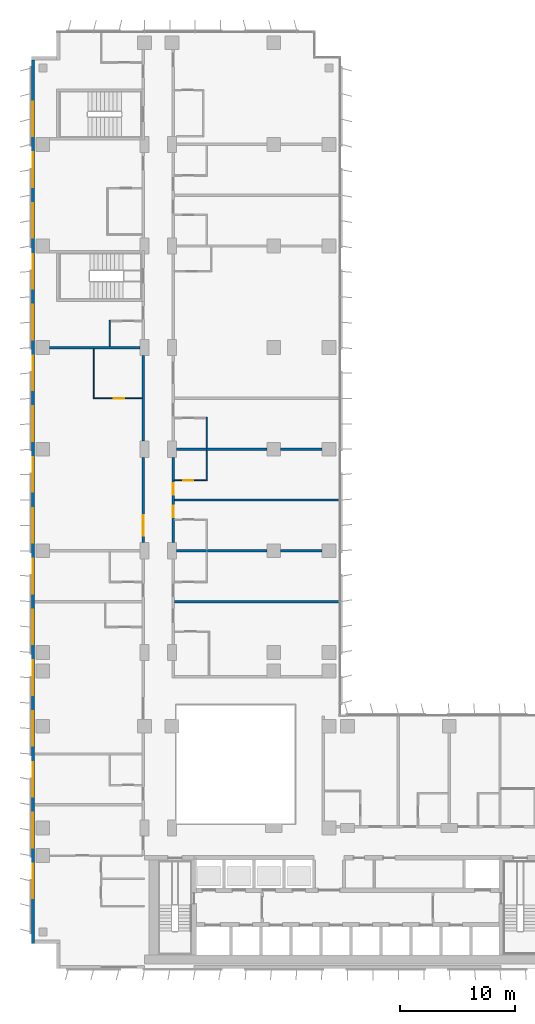
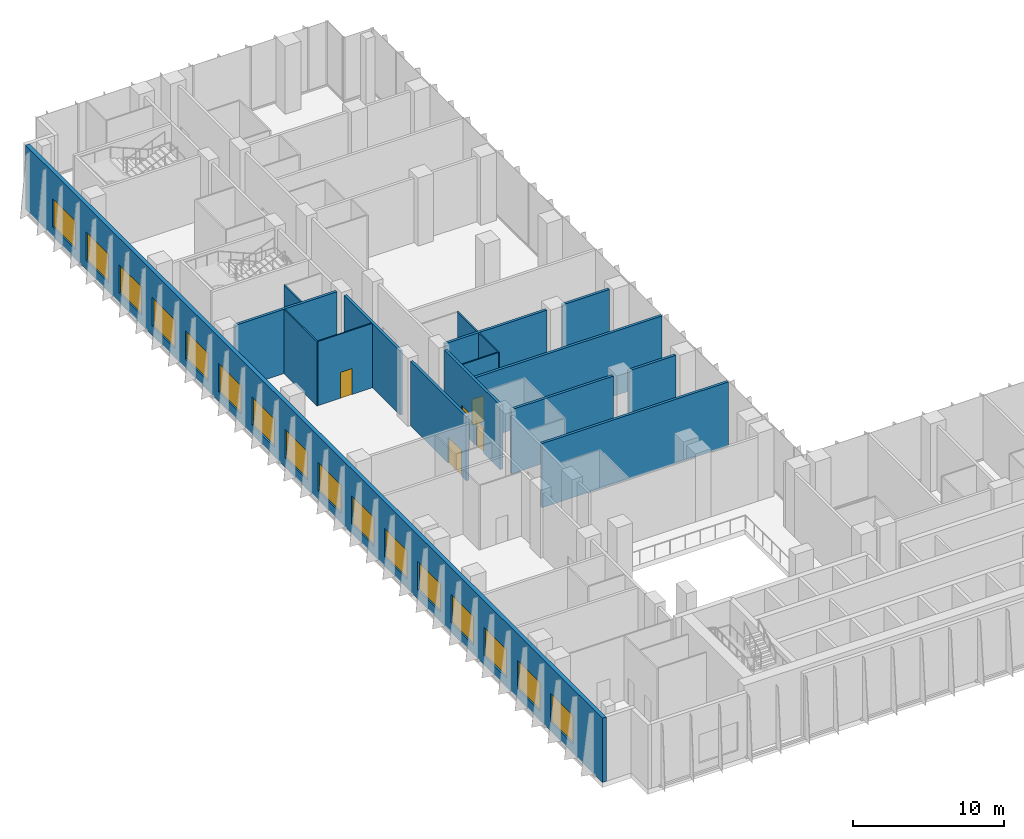
# One storey, part 16 of 26: 17 walls, 16 windows, 5 doors, 21 openings.
"""IFC4 building model written with IfcOpenShell, lengths in metres."""

from ifc_helpers import new_model, si_unit, direction, frame, frame_2d, origin, place, context, subcontext, project, spatial, rectangle, extrude, material, layer, layer_set, type_object, element, fill, save


model = new_model("IFC4")

# Units and contexts
model_context = context("Model", 3, precision=1e-05, world=origin(), true_north=direction((0.0, 1.0)))
body_context = subcontext(model_context, "Body", "Model", "MODEL_VIEW")
ifc_project = project(units=[si_unit("LENGTHUNIT", "METRE"), si_unit("AREAUNIT", "SQUARE_METRE"), si_unit("VOLUMEUNIT", "CUBIC_METRE"), si_unit("PLANEANGLEUNIT", "RADIAN"), si_unit("MASSUNIT", "GRAM", prefix="KILO")], contexts=[model_context])

# Site, building, storey
site_placement = place(None, origin())
site = spatial("IfcSite", under=ifc_project, at=site_placement, CompositionType="ELEMENT")
building_placement = place(site_placement, origin())
building = spatial("IfcBuilding", under=site, at=building_placement, Name="Kemantara Hotel Tower", CompositionType="ELEMENT")
storey_placement = place(building_placement, frame((0.0, 0.0, 101.89990234375)))
storey = spatial("IfcBuildingStorey", under=building, at=storey_placement, Name="L24", CompositionType="ELEMENT", Elevation=101.89990234375)

# Wall, openings, windows
ifc_material_1 = material(Name="Bronze anodised aluminium cladding on insulated steel stud wall", Category="steel")
ifc_layer_1 = layer(ifc_material_1, 0.300048828125)
ifc_layer_set_1 = layer_set([ifc_layer_1], Name="Bronze anodised aluminium cladding on insulated steel stud wall")
wall_type_1 = type_object("IfcWallType", Name="BRONZE METAL-CLAD EXTERNAL WALL 300", PredefinedType="STANDARD", material=ifc_layer_set_1)
wall_1_placement = place(storey_placement, frame((0.14990234375, 78.699951171875, 0.0), z_axis=(0.0, 0.0, 1.0), x_axis=(0.0, -1.0, 0.0)))
wall_1 = element("IfcWall", 1, at=wall_1_placement, inside=storey, type_object=wall_type_1, Name="EXTERNAL WALL L24 T2-R04", PredefinedType="STANDARD", context=body_context, shape_type="SweptSolid", body=[
    extrude(rectangle(XDim=76.5, YDim=0.300048828125, at=frame_2d((38.25, 0.0))), origin(), (0.0, 0.0, 1.0), 5.2001953125),
])
opening_1_placement = place(wall_1_placement, frame((3.60009765625, 0.0, 0.75)))
opening_1 = element("IfcOpeningElement", 2, at=opening_1_placement, cuts=wall_1, Name="Opening W1", PredefinedType="OPENING", context=body_context, shape_type="SweptSolid", body=[
    extrude(rectangle(XDim=3.0, YDim=2.300048828125, at=frame_2d((1.5, 1.14990234375))), frame((0.0, 0.159912109375, 0.0), z_axis=(0.0, -1.0, 0.0), x_axis=(1.0, 0.0, 0.0)), (0.0, 0.0, 1.0), 0.320068359375),
])
opening_2_placement = place(wall_1_placement, frame((8.0, 0.0, 0.75)))
opening_2 = element("IfcOpeningElement", 3, at=opening_2_placement, cuts=wall_1, Name="Opening W1", PredefinedType="OPENING", context=body_context, shape_type="SweptSolid", body=[
    extrude(rectangle(XDim=3.0, YDim=2.300048828125, at=frame_2d((1.5, 1.14990234375))), frame((0.0, 0.159912109375, 0.0), z_axis=(0.0, -1.0, 0.0), x_axis=(1.0, 0.0, 0.0)), (0.0, 0.0, 1.0), 0.320068359375),
])
opening_3_placement = place(wall_1_placement, frame((12.39990234375, 0.0, 0.75)))
opening_3 = element("IfcOpeningElement", 4, at=opening_3_placement, cuts=wall_1, Name="Opening W1", PredefinedType="OPENING", context=body_context, shape_type="SweptSolid", body=[
    extrude(rectangle(XDim=3.0, YDim=2.300048828125, at=frame_2d((1.5, 1.14990234375))), frame((0.0, 0.159912109375, 0.0), z_axis=(0.0, -1.0, 0.0), x_axis=(1.0, 0.0, 0.0)), (0.0, 0.0, 1.0), 0.320068359375),
])
opening_4_placement = place(wall_1_placement, frame((16.800048828125, 0.0, 0.75)))
opening_4 = element("IfcOpeningElement", 5, at=opening_4_placement, cuts=wall_1, Name="Opening W1", PredefinedType="OPENING", context=body_context, shape_type="SweptSolid", body=[
    extrude(rectangle(XDim=3.0, YDim=2.300048828125, at=frame_2d((1.5, 1.14990234375))), frame((0.0, 0.159912109375, 0.0), z_axis=(0.0, -1.0, 0.0), x_axis=(1.0, 0.0, 0.0)), (0.0, 0.0, 1.0), 0.320068359375),
])
opening_5_placement = place(wall_1_placement, frame((21.199951171875, 0.0, 0.75)))
opening_5 = element("IfcOpeningElement", 6, at=opening_5_placement, cuts=wall_1, Name="Opening W1", PredefinedType="OPENING", context=body_context, shape_type="SweptSolid", body=[
    extrude(rectangle(XDim=3.0, YDim=2.300048828125, at=frame_2d((1.5, 1.14990234375))), frame((0.0, 0.159912109375, 0.0), z_axis=(0.0, -1.0, 0.0), x_axis=(1.0, 0.0, 0.0)), (0.0, 0.0, 1.0), 0.320068359375),
])
opening_6_placement = place(wall_1_placement, frame((25.60009765625, 0.0, 0.75)))
opening_6 = element("IfcOpeningElement", 7, at=opening_6_placement, cuts=wall_1, Name="Opening W1", PredefinedType="OPENING", context=body_context, shape_type="SweptSolid", body=[
    extrude(rectangle(XDim=3.0, YDim=2.300048828125, at=frame_2d((1.5, 1.14990234375))), frame((0.0, 0.159912109375, 0.0), z_axis=(0.0, -1.0, 0.0), x_axis=(1.0, 0.0, 0.0)), (0.0, 0.0, 1.0), 0.320068359375),
])
opening_7_placement = place(wall_1_placement, frame((30.0, 0.0, 0.75)))
opening_7 = element("IfcOpeningElement", 8, at=opening_7_placement, cuts=wall_1, Name="Opening W1", PredefinedType="OPENING", context=body_context, shape_type="SweptSolid", body=[
    extrude(rectangle(XDim=3.0, YDim=2.300048828125, at=frame_2d((1.5, 1.14990234375))), frame((0.0, 0.159912109375, 0.0), z_axis=(0.0, -1.0, 0.0), x_axis=(1.0, 0.0, 0.0)), (0.0, 0.0, 1.0), 0.320068359375),
])
opening_8_placement = place(wall_1_placement, frame((34.39990234375, 0.0, 0.75)))
opening_8 = element("IfcOpeningElement", 9, at=opening_8_placement, cuts=wall_1, Name="Opening W1", PredefinedType="OPENING", context=body_context, shape_type="SweptSolid", body=[
    extrude(rectangle(XDim=3.0, YDim=2.300048828125, at=frame_2d((1.5, 1.14990234375))), frame((0.0, 0.159912109375, 0.0), z_axis=(0.0, -1.0, 0.0), x_axis=(1.0, 0.0, 0.0)), (0.0, 0.0, 1.0), 0.320068359375),
])
opening_9_placement = place(wall_1_placement, frame((38.800048828125, 0.0, 0.75)))
opening_9 = element("IfcOpeningElement", 10, at=opening_9_placement, cuts=wall_1, Name="Opening W1", PredefinedType="OPENING", context=body_context, shape_type="SweptSolid", body=[
    extrude(rectangle(XDim=3.0, YDim=2.300048828125, at=frame_2d((1.5, 1.14990234375))), frame((0.0, 0.159912109375, 0.0), z_axis=(0.0, -1.0, 0.0), x_axis=(1.0, 0.0, 0.0)), (0.0, 0.0, 1.0), 0.320068359375),
])
opening_10_placement = place(wall_1_placement, frame((43.199951171875, 0.0, 0.75)))
opening_10 = element("IfcOpeningElement", 11, at=opening_10_placement, cuts=wall_1, Name="Opening W1", PredefinedType="OPENING", context=body_context, shape_type="SweptSolid", body=[
    extrude(rectangle(XDim=3.0, YDim=2.300048828125, at=frame_2d((1.5, 1.14990234375))), frame((0.0, 0.159912109375, 0.0), z_axis=(0.0, -1.0, 0.0), x_axis=(1.0, 0.0, 0.0)), (0.0, 0.0, 1.0), 0.320068359375),
])
opening_11_placement = place(wall_1_placement, frame((47.60009765625, 0.0, 0.75)))
opening_11 = element("IfcOpeningElement", 12, at=opening_11_placement, cuts=wall_1, Name="Opening W1", PredefinedType="OPENING", context=body_context, shape_type="SweptSolid", body=[
    extrude(rectangle(XDim=3.0, YDim=2.300048828125, at=frame_2d((1.5, 1.14990234375))), frame((0.0, 0.159912109375, 0.0), z_axis=(0.0, -1.0, 0.0), x_axis=(1.0, 0.0, 0.0)), (0.0, 0.0, 1.0), 0.320068359375),
])
opening_12_placement = place(wall_1_placement, frame((52.0, 0.0, 0.75)))
opening_12 = element("IfcOpeningElement", 13, at=opening_12_placement, cuts=wall_1, Name="Opening W1", PredefinedType="OPENING", context=body_context, shape_type="SweptSolid", body=[
    extrude(rectangle(XDim=3.0, YDim=2.300048828125, at=frame_2d((1.5, 1.14990234375))), frame((0.0, 0.159912109375, 0.0), z_axis=(0.0, -1.0, 0.0), x_axis=(1.0, 0.0, 0.0)), (0.0, 0.0, 1.0), 0.320068359375),
])
opening_13_placement = place(wall_1_placement, frame((56.39990234375, 0.0, 0.75)))
opening_13 = element("IfcOpeningElement", 14, at=opening_13_placement, cuts=wall_1, Name="Opening W1", PredefinedType="OPENING", context=body_context, shape_type="SweptSolid", body=[
    extrude(rectangle(XDim=3.0, YDim=2.300048828125, at=frame_2d((1.5, 1.14990234375))), frame((0.0, 0.159912109375, 0.0), z_axis=(0.0, -1.0, 0.0), x_axis=(1.0, 0.0, 0.0)), (0.0, 0.0, 1.0), 0.320068359375),
])
opening_14_placement = place(wall_1_placement, frame((60.800048828125, 0.0, 0.75)))
opening_14 = element("IfcOpeningElement", 15, at=opening_14_placement, cuts=wall_1, Name="Opening W1", PredefinedType="OPENING", context=body_context, shape_type="SweptSolid", body=[
    extrude(rectangle(XDim=3.0, YDim=2.300048828125, at=frame_2d((1.5, 1.14990234375))), frame((0.0, 0.159912109375, 0.0), z_axis=(0.0, -1.0, 0.0), x_axis=(1.0, 0.0, 0.0)), (0.0, 0.0, 1.0), 0.320068359375),
])
opening_15_placement = place(wall_1_placement, frame((65.199951171875, 0.0, 0.75)))
opening_15 = element("IfcOpeningElement", 16, at=opening_15_placement, cuts=wall_1, Name="Opening W1", PredefinedType="OPENING", context=body_context, shape_type="SweptSolid", body=[
    extrude(rectangle(XDim=3.0, YDim=2.300048828125, at=frame_2d((1.5, 1.14990234375))), frame((0.0, 0.159912109375, 0.0), z_axis=(0.0, -1.0, 0.0), x_axis=(1.0, 0.0, 0.0)), (0.0, 0.0, 1.0), 0.320068359375),
])
opening_16_placement = place(wall_1_placement, frame((69.60009765625, 0.0, 0.75)))
opening_16 = element("IfcOpeningElement", 17, at=opening_16_placement, cuts=wall_1, Name="Opening W1", PredefinedType="OPENING", context=body_context, shape_type="SweptSolid", body=[
    extrude(rectangle(XDim=3.0, YDim=2.300048828125, at=frame_2d((1.5, 1.14990234375))), frame((0.0, 0.159912109375, 0.0), z_axis=(0.0, -1.0, 0.0), x_axis=(1.0, 0.0, 0.0)), (0.0, 0.0, 1.0), 0.320068359375),
])
ifc_material_2 = material(Name="Low-E tinted double insulated glass in bronze anodised aluminium frame", Category="aluminium")
window_type = type_object("IfcWindowType", Name="CHICAGO WINDOW, TRIPLE PANEL 3000x2300", PartitioningType="TRIPLE_PANEL_VERTICAL", PredefinedType="WINDOW", material=ifc_material_2)
window_1_placement = place(opening_1_placement, origin())
window_1 = element("IfcWindow", 18, at=window_1_placement, inside=storey, type_object=window_type, Name="CHICAGO WINDOW L24 T2-R04-54", OverallHeight=2.300048828125, OverallWidth=3.0, PartitioningType="SINGLE_PANEL", PredefinedType="WINDOW", context=body_context, shape_type="SweptSolid", body=[
    extrude(rectangle(XDim=3.0, YDim=2.300048828125, at=frame_2d((1.5, 1.14990234375))), frame((0.0, 0.030029296875, 0.0), z_axis=(0.0, -1.0, 0.0), x_axis=(1.0, 0.0, 0.0)), (0.0, 0.0, 1.0), 0.06005859375),
])
fill(opening_1, window_1)
window_2_placement = place(opening_2_placement, origin())
window_2 = element("IfcWindow", 19, at=window_2_placement, inside=storey, type_object=window_type, Name="CHICAGO WINDOW L24 T2-R04-98", OverallHeight=2.300048828125, OverallWidth=3.0, PartitioningType="SINGLE_PANEL", PredefinedType="WINDOW", context=body_context, shape_type="SweptSolid", body=[
    extrude(rectangle(XDim=3.0, YDim=2.300048828125, at=frame_2d((1.5, 1.14990234375))), frame((0.0, 0.030029296875, 0.0), z_axis=(0.0, -1.0, 0.0), x_axis=(1.0, 0.0, 0.0)), (0.0, 0.0, 1.0), 0.06005859375),
])
fill(opening_2, window_2)
window_3_placement = place(opening_3_placement, origin())
window_3 = element("IfcWindow", 20, at=window_3_placement, inside=storey, type_object=window_type, Name="CHICAGO WINDOW L24 T2-R04-142", OverallHeight=2.300048828125, OverallWidth=3.0, PartitioningType="SINGLE_PANEL", PredefinedType="WINDOW", context=body_context, shape_type="SweptSolid", body=[
    extrude(rectangle(XDim=3.0, YDim=2.300048828125, at=frame_2d((1.5, 1.14990234375))), frame((0.0, 0.030029296875, 0.0), z_axis=(0.0, -1.0, 0.0), x_axis=(1.0, 0.0, 0.0)), (0.0, 0.0, 1.0), 0.06005859375),
])
fill(opening_3, window_3)
window_4_placement = place(opening_4_placement, origin())
window_4 = element("IfcWindow", 21, at=window_4_placement, inside=storey, type_object=window_type, Name="CHICAGO WINDOW L24 T2-R04-186", OverallHeight=2.300048828125, OverallWidth=3.0, PartitioningType="SINGLE_PANEL", PredefinedType="WINDOW", context=body_context, shape_type="SweptSolid", body=[
    extrude(rectangle(XDim=3.0, YDim=2.300048828125, at=frame_2d((1.5, 1.14990234375))), frame((0.0, 0.030029296875, 0.0), z_axis=(0.0, -1.0, 0.0), x_axis=(1.0, 0.0, 0.0)), (0.0, 0.0, 1.0), 0.06005859375),
])
fill(opening_4, window_4)
window_5_placement = place(opening_5_placement, origin())
window_5 = element("IfcWindow", 22, at=window_5_placement, inside=storey, type_object=window_type, Name="CHICAGO WINDOW L24 T2-R04-230", OverallHeight=2.300048828125, OverallWidth=3.0, PartitioningType="SINGLE_PANEL", PredefinedType="WINDOW", context=body_context, shape_type="SweptSolid", body=[
    extrude(rectangle(XDim=3.0, YDim=2.300048828125, at=frame_2d((1.5, 1.14990234375))), frame((0.0, 0.030029296875, 0.0), z_axis=(0.0, -1.0, 0.0), x_axis=(1.0, 0.0, 0.0)), (0.0, 0.0, 1.0), 0.06005859375),
])
fill(opening_5, window_5)
window_6_placement = place(opening_6_placement, origin())
window_6 = element("IfcWindow", 23, at=window_6_placement, inside=storey, type_object=window_type, Name="CHICAGO WINDOW L24 T2-R04-274", OverallHeight=2.300048828125, OverallWidth=3.0, PartitioningType="SINGLE_PANEL", PredefinedType="WINDOW", context=body_context, shape_type="SweptSolid", body=[
    extrude(rectangle(XDim=3.0, YDim=2.300048828125, at=frame_2d((1.5, 1.14990234375))), frame((0.0, 0.030029296875, 0.0), z_axis=(0.0, -1.0, 0.0), x_axis=(1.0, 0.0, 0.0)), (0.0, 0.0, 1.0), 0.06005859375),
])
fill(opening_6, window_6)
window_7_placement = place(opening_7_placement, origin())
window_7 = element("IfcWindow", 24, at=window_7_placement, inside=storey, type_object=window_type, Name="CHICAGO WINDOW L24 T2-R04-318", OverallHeight=2.300048828125, OverallWidth=3.0, PartitioningType="SINGLE_PANEL", PredefinedType="WINDOW", context=body_context, shape_type="SweptSolid", body=[
    extrude(rectangle(XDim=3.0, YDim=2.300048828125, at=frame_2d((1.5, 1.14990234375))), frame((0.0, 0.030029296875, 0.0), z_axis=(0.0, -1.0, 0.0), x_axis=(1.0, 0.0, 0.0)), (0.0, 0.0, 1.0), 0.06005859375),
])
fill(opening_7, window_7)
window_8_placement = place(opening_8_placement, origin())
window_8 = element("IfcWindow", 25, at=window_8_placement, inside=storey, type_object=window_type, Name="CHICAGO WINDOW L24 T2-R04-362", OverallHeight=2.300048828125, OverallWidth=3.0, PartitioningType="SINGLE_PANEL", PredefinedType="WINDOW", context=body_context, shape_type="SweptSolid", body=[
    extrude(rectangle(XDim=3.0, YDim=2.300048828125, at=frame_2d((1.5, 1.14990234375))), frame((0.0, 0.030029296875, 0.0), z_axis=(0.0, -1.0, 0.0), x_axis=(1.0, 0.0, 0.0)), (0.0, 0.0, 1.0), 0.06005859375),
])
fill(opening_8, window_8)
window_9_placement = place(opening_9_placement, origin())
window_9 = element("IfcWindow", 26, at=window_9_placement, inside=storey, type_object=window_type, Name="CHICAGO WINDOW L24 T2-R04-406", OverallHeight=2.300048828125, OverallWidth=3.0, PartitioningType="SINGLE_PANEL", PredefinedType="WINDOW", context=body_context, shape_type="SweptSolid", body=[
    extrude(rectangle(XDim=3.0, YDim=2.300048828125, at=frame_2d((1.5, 1.14990234375))), frame((0.0, 0.030029296875, 0.0), z_axis=(0.0, -1.0, 0.0), x_axis=(1.0, 0.0, 0.0)), (0.0, 0.0, 1.0), 0.06005859375),
])
fill(opening_9, window_9)
window_10_placement = place(opening_10_placement, origin())
window_10 = element("IfcWindow", 27, at=window_10_placement, inside=storey, type_object=window_type, Name="CHICAGO WINDOW L24 T2-R04-450", OverallHeight=2.300048828125, OverallWidth=3.0, PartitioningType="SINGLE_PANEL", PredefinedType="WINDOW", context=body_context, shape_type="SweptSolid", body=[
    extrude(rectangle(XDim=3.0, YDim=2.300048828125, at=frame_2d((1.5, 1.14990234375))), frame((0.0, 0.030029296875, 0.0), z_axis=(0.0, -1.0, 0.0), x_axis=(1.0, 0.0, 0.0)), (0.0, 0.0, 1.0), 0.06005859375),
])
fill(opening_10, window_10)
window_11_placement = place(opening_11_placement, origin())
window_11 = element("IfcWindow", 28, at=window_11_placement, inside=storey, type_object=window_type, Name="CHICAGO WINDOW L24 T2-R04-494", OverallHeight=2.300048828125, OverallWidth=3.0, PartitioningType="SINGLE_PANEL", PredefinedType="WINDOW", context=body_context, shape_type="SweptSolid", body=[
    extrude(rectangle(XDim=3.0, YDim=2.300048828125, at=frame_2d((1.5, 1.14990234375))), frame((0.0, 0.030029296875, 0.0), z_axis=(0.0, -1.0, 0.0), x_axis=(1.0, 0.0, 0.0)), (0.0, 0.0, 1.0), 0.06005859375),
])
fill(opening_11, window_11)
window_12_placement = place(opening_12_placement, origin())
window_12 = element("IfcWindow", 29, at=window_12_placement, inside=storey, type_object=window_type, Name="CHICAGO WINDOW L24 T2-R04-538", OverallHeight=2.300048828125, OverallWidth=3.0, PartitioningType="SINGLE_PANEL", PredefinedType="WINDOW", context=body_context, shape_type="SweptSolid", body=[
    extrude(rectangle(XDim=3.0, YDim=2.300048828125, at=frame_2d((1.5, 1.14990234375))), frame((0.0, 0.030029296875, 0.0), z_axis=(0.0, -1.0, 0.0), x_axis=(1.0, 0.0, 0.0)), (0.0, 0.0, 1.0), 0.06005859375),
])
fill(opening_12, window_12)
window_13_placement = place(opening_13_placement, origin())
window_13 = element("IfcWindow", 30, at=window_13_placement, inside=storey, type_object=window_type, Name="CHICAGO WINDOW L24 T2-R04-582", OverallHeight=2.300048828125, OverallWidth=3.0, PartitioningType="SINGLE_PANEL", PredefinedType="WINDOW", context=body_context, shape_type="SweptSolid", body=[
    extrude(rectangle(XDim=3.0, YDim=2.300048828125, at=frame_2d((1.5, 1.14990234375))), frame((0.0, 0.030029296875, 0.0), z_axis=(0.0, -1.0, 0.0), x_axis=(1.0, 0.0, 0.0)), (0.0, 0.0, 1.0), 0.06005859375),
])
fill(opening_13, window_13)
window_14_placement = place(opening_14_placement, origin())
window_14 = element("IfcWindow", 31, at=window_14_placement, inside=storey, type_object=window_type, Name="CHICAGO WINDOW L24 T2-R04-626", OverallHeight=2.300048828125, OverallWidth=3.0, PartitioningType="SINGLE_PANEL", PredefinedType="WINDOW", context=body_context, shape_type="SweptSolid", body=[
    extrude(rectangle(XDim=3.0, YDim=2.300048828125, at=frame_2d((1.5, 1.14990234375))), frame((0.0, 0.030029296875, 0.0), z_axis=(0.0, -1.0, 0.0), x_axis=(1.0, 0.0, 0.0)), (0.0, 0.0, 1.0), 0.06005859375),
])
fill(opening_14, window_14)
window_15_placement = place(opening_15_placement, origin())
window_15 = element("IfcWindow", 32, at=window_15_placement, inside=storey, type_object=window_type, Name="CHICAGO WINDOW L24 T2-R04-670", OverallHeight=2.300048828125, OverallWidth=3.0, PartitioningType="SINGLE_PANEL", PredefinedType="WINDOW", context=body_context, shape_type="SweptSolid", body=[
    extrude(rectangle(XDim=3.0, YDim=2.300048828125, at=frame_2d((1.5, 1.14990234375))), frame((0.0, 0.030029296875, 0.0), z_axis=(0.0, -1.0, 0.0), x_axis=(1.0, 0.0, 0.0)), (0.0, 0.0, 1.0), 0.06005859375),
])
fill(opening_15, window_15)
window_16_placement = place(opening_16_placement, origin())
window_16 = element("IfcWindow", 33, at=window_16_placement, inside=storey, type_object=window_type, Name="CHICAGO WINDOW L24 T2-R04-714", OverallHeight=2.300048828125, OverallWidth=3.0, PartitioningType="SINGLE_PANEL", PredefinedType="WINDOW", context=body_context, shape_type="SweptSolid", body=[
    extrude(rectangle(XDim=3.0, YDim=2.300048828125, at=frame_2d((1.5, 1.14990234375))), frame((0.0, 0.030029296875, 0.0), z_axis=(0.0, -1.0, 0.0), x_axis=(1.0, 0.0, 0.0)), (0.0, 0.0, 1.0), 0.06005859375),
])
fill(opening_16, window_16)

# Wall, opening, door
ifc_material_3 = material(Name="Gypsum board partition, steel studs and mineral wool, 200 mm", Category="steel")
ifc_layer_2 = layer(ifc_material_3, 0.199951171875)
ifc_layer_set_2 = layer_set([ifc_layer_2], Name="Gypsum board partition, steel studs and mineral wool, 200 mm")
wall_type_2 = type_object("IfcWallType", Name="CORRIDOR WALL 200", PredefinedType="PARTITIONING", material=ifc_layer_set_2)
wall_2_placement = place(storey_placement, frame((9.699951171875, 36.900146484375, 0.0), z_axis=(0.0, 0.0, 1.0), x_axis=(0.0, 1.0, 0.0)))
wall_2 = element("IfcWall", 34, at=wall_2_placement, inside=storey, type_object=wall_type_2, Name="CORRIDOR WALL 200 018", PredefinedType="PARTITIONING", context=body_context, shape_type="SweptSolid", body=[
    extrude(rectangle(XDim=7.399658203125, YDim=0.199951171875, at=frame_2d((3.69970703125, 0.0))), origin(), (0.0, 0.0, 1.0), 5.2001953125),
])
opening_17_placement = place(wall_2_placement, frame((0.599853515625, 0.0, 0.0)))
opening_17 = element("IfcOpeningElement", 35, at=opening_17_placement, cuts=wall_2, Name="Opening F10-025", PredefinedType="OPENING", context=body_context, shape_type="SweptSolid", body=[
    extrude(rectangle(XDim=1.800048828125, YDim=2.10009765625, at=frame_2d((0.89990234375, 1.050048828125))), frame((0.0, 0.10986328125, 0.0), z_axis=(0.0, -1.0, 0.0), x_axis=(1.0, 0.0, 0.0)), (0.0, 0.0, 1.0), 0.219970703125),
])
ifc_material_4 = material(Name="Hardwood veneer door leaf with steel frame", Category="steel")
door_type_1 = type_object("IfcDoorType", Name="AMENITY ROOM DOOR 1800 X 2100 FD30S", OperationType="NOTDEFINED", PredefinedType="DOOR", material=ifc_material_4)
door_1_placement = place(opening_17_placement, origin())
door_1 = element("IfcDoor", 36, at=door_1_placement, inside=storey, type_object=door_type_1, Name="AMENITY ROOM DOOR F10-025", OperationType="DOUBLE_DOOR_SINGLE_SWING", OverallHeight=2.10009765625, OverallWidth=1.800048828125, PredefinedType="DOOR", context=body_context, shape_type="SweptSolid", body=[
    extrude(rectangle(XDim=1.800048828125, YDim=2.10009765625, at=frame_2d((0.89990234375, 1.050048828125))), frame((0.0, 0.02490234375, 0.0), z_axis=(0.0, -1.0, 0.0), x_axis=(1.0, 0.0, 0.0)), (0.0, 0.0, 1.0), 0.050048828125),
])
fill(opening_17, door_1)

# Wall
wall_3_placement = place(storey_placement, frame((9.699951171875, 45.7001953125, 0.0), z_axis=(0.0, 0.0, 1.0), x_axis=(0.0, 1.0, 0.0)))
element("IfcWall", 37, at=wall_3_placement, inside=storey, type_object=wall_type_2, Name="CORRIDOR WALL 200 019", PredefinedType="PARTITIONING", context=body_context, shape_type="SweptSolid", body=[
    extrude(rectangle(XDim=7.399658203125, YDim=0.199951171875, at=frame_2d((3.69970703125, 0.0))), origin(), (0.0, 0.0, 1.0), 5.2001953125),
])

# Wall, openings, doors
wall_4_placement = place(storey_placement, frame((12.300048828125, 44.2998046875, 0.0), z_axis=(0.0, 0.0, 1.0), x_axis=(0.0, -1.0, 0.0)))
wall_4 = element("IfcWall", 38, at=wall_4_placement, inside=storey, type_object=wall_type_2, Name="CORRIDOR WALL 200 033", PredefinedType="PARTITIONING", context=body_context, shape_type="SweptSolid", body=[
    extrude(rectangle(XDim=7.399658203125, YDim=0.199951171875, at=frame_2d((3.69970703125, 0.0))), origin(), (0.0, 0.0, 1.0), 5.2001953125),
])
opening_18_placement = place(wall_4_placement, frame((4.199951171875, 0.0, 0.0)))
opening_18 = element("IfcOpeningElement", 39, at=opening_18_placement, cuts=wall_4, Name="Opening F10-037", PredefinedType="OPENING", context=body_context, shape_type="SweptSolid", body=[
    extrude(rectangle(XDim=1.0, YDim=2.10009765625, at=frame_2d((0.5, 1.050048828125))), frame((0.0, 0.10986328125, 0.0), z_axis=(0.0, -1.0, 0.0), x_axis=(1.0, 0.0, 0.0)), (0.0, 0.0, 1.0), 0.219970703125),
])
opening_19_placement = place(wall_4_placement, frame((2.25, 0.0, 0.0)))
opening_19 = element("IfcOpeningElement", 40, at=opening_19_placement, cuts=wall_4, Name="Opening F10-039", PredefinedType="OPENING", context=body_context, shape_type="SweptSolid", body=[
    extrude(rectangle(XDim=1.0, YDim=2.10009765625, at=frame_2d((0.5, 1.050048828125))), frame((0.0, 0.10986328125, 0.0), z_axis=(0.0, -1.0, 0.0), x_axis=(1.0, 0.0, 0.0)), (0.0, 0.0, 1.0), 0.219970703125),
])
door_type_2 = type_object("IfcDoorType", Name="GUEST ROOM DOOR 1000 X 2100 FD30S", OperationType="NOTDEFINED", PredefinedType="DOOR", material=ifc_material_4)
door_2_placement = place(opening_18_placement, origin())
door_2 = element("IfcDoor", 41, at=door_2_placement, inside=storey, type_object=door_type_2, Name="GUEST ROOM DOOR F10-037", OperationType="SINGLE_SWING_LEFT", OverallHeight=2.10009765625, OverallWidth=1.0, PredefinedType="DOOR", context=body_context, shape_type="SweptSolid", body=[
    extrude(rectangle(XDim=1.0, YDim=2.10009765625, at=frame_2d((0.5, 1.050048828125))), frame((0.0, 0.02490234375, 0.0), z_axis=(0.0, -1.0, 0.0), x_axis=(1.0, 0.0, 0.0)), (0.0, 0.0, 1.0), 0.050048828125),
])
fill(opening_18, door_2)
door_3_placement = place(opening_19_placement, origin())
door_3 = element("IfcDoor", 42, at=door_3_placement, inside=storey, type_object=door_type_2, Name="GUEST ROOM DOOR F10-039", OperationType="SINGLE_SWING_RIGHT", OverallHeight=2.10009765625, OverallWidth=1.0, PredefinedType="DOOR", context=body_context, shape_type="SweptSolid", body=[
    extrude(rectangle(XDim=1.0, YDim=2.10009765625, at=frame_2d((0.5, 1.050048828125))), frame((0.0, 0.02490234375, 0.0), z_axis=(0.0, -1.0, 0.0), x_axis=(1.0, 0.0, 0.0)), (0.0, 0.0, 1.0), 0.050048828125),
])
fill(opening_19, door_3)

# Walls
ifc_layer_3 = layer(ifc_material_3, 0.199951171875)
ifc_layer_set_3 = layer_set([ifc_layer_3], Name="Gypsum board partition, steel studs and mineral wool, 200 mm")
wall_type_3 = type_object("IfcWallType", Name="GUEST ROOM PARTY WALL 200", PredefinedType="PARTITIONING", material=ifc_layer_set_3)
wall_5_placement = place(storey_placement, frame((12.39990234375, 31.800048828125, 0.0), z_axis=(0.0, 0.0, 1.0), x_axis=(1.0, 0.0, 0.0)))
element("IfcWall", 43, at=wall_5_placement, inside=storey, type_object=wall_type_3, Name="GUEST ROOM PARTY WALL 200 026", PredefinedType="PARTITIONING", context=body_context, shape_type="SweptSolid", body=[
    extrude(rectangle(XDim=14.27001953125, YDim=0.199951171875, at=frame_2d((7.135009765625, 0.0))), origin(), (0.0, 0.0, 1.0), 5.2001953125),
])
wall_6_placement = place(storey_placement, frame((12.60009765625, 36.199951171875, 0.0), z_axis=(0.0, 0.0, 1.0), x_axis=(1.0, 0.0, 0.0)))
element("IfcWall", 44, at=wall_6_placement, inside=storey, type_object=wall_type_3, Name="GUEST ROOM PARTY WALL 200 028", PredefinedType="PARTITIONING", context=body_context, shape_type="SweptSolid", body=[
    extrude(rectangle(XDim=7.7998046875, YDim=0.199951171875, at=frame_2d((3.89990234375, 0.0))), origin(), (0.0, 0.0, 1.0), 5.2001953125),
])
wall_7_placement = place(storey_placement, frame((21.60009765625, 36.199951171875, 0.0), z_axis=(0.0, 0.0, 1.0), x_axis=(1.0, 0.0, 0.0)))
element("IfcWall", 45, at=wall_7_placement, inside=storey, type_object=wall_type_3, Name="GUEST ROOM PARTY WALL 200 029", PredefinedType="PARTITIONING", context=body_context, shape_type="SweptSolid", body=[
    extrude(rectangle(XDim=3.599853515625, YDim=0.199951171875, at=frame_2d((1.7998046875, 0.0))), origin(), (0.0, 0.0, 1.0), 5.2001953125),
])
wall_8_placement = place(storey_placement, frame((1.60009765625, 53.800048828125, 0.0), z_axis=(0.0, 0.0, 1.0), x_axis=(1.0, 0.0, 0.0)))
element("IfcWall", 46, at=wall_8_placement, inside=storey, type_object=wall_type_3, Name="GUEST ROOM PARTY WALL 200 030", PredefinedType="PARTITIONING", context=body_context, shape_type="SweptSolid", body=[
    extrude(rectangle(XDim=7.7998046875, YDim=0.199951171875, at=frame_2d((3.89990234375, 0.0))), origin(), (0.0, 0.0, 1.0), 5.2001953125),
])
wall_9_placement = place(storey_placement, frame((12.39990234375, 40.60009765625, 0.0), z_axis=(0.0, 0.0, 1.0), x_axis=(1.0, 0.0, 0.0)))
element("IfcWall", 47, at=wall_9_placement, inside=storey, type_object=wall_type_3, Name="GUEST ROOM PARTY WALL 200 040", PredefinedType="PARTITIONING", context=body_context, shape_type="SweptSolid", body=[
    extrude(rectangle(XDim=14.27001953125, YDim=0.199951171875, at=frame_2d((7.135009765625, 0.0))), origin(), (0.0, 0.0, 1.0), 5.2001953125),
])
wall_10_placement = place(storey_placement, frame((12.60009765625, 45.0, 0.0), z_axis=(0.0, 0.0, 1.0), x_axis=(1.0, 0.0, 0.0)))
element("IfcWall", 48, at=wall_10_placement, inside=storey, type_object=wall_type_3, Name="GUEST ROOM PARTY WALL 200 041", PredefinedType="PARTITIONING", context=body_context, shape_type="SweptSolid", body=[
    extrude(rectangle(XDim=7.7998046875, YDim=0.199951171875, at=frame_2d((3.89990234375, 0.0))), origin(), (0.0, 0.0, 1.0), 5.2001953125),
])
wall_11_placement = place(storey_placement, frame((21.60009765625, 45.0, 0.0), z_axis=(0.0, 0.0, 1.0), x_axis=(1.0, 0.0, 0.0)))
element("IfcWall", 49, at=wall_11_placement, inside=storey, type_object=wall_type_3, Name="GUEST ROOM PARTY WALL 200 042", PredefinedType="PARTITIONING", context=body_context, shape_type="SweptSolid", body=[
    extrude(rectangle(XDim=3.599853515625, YDim=0.199951171875, at=frame_2d((1.7998046875, 0.0))), origin(), (0.0, 0.0, 1.0), 5.2001953125),
])
ifc_material_5 = material(Name="Gypsum board partition on steel studs, 100 mm", Category="steel")
ifc_layer_4 = layer(ifc_material_5, 0.10009765625)
ifc_layer_set_4 = layer_set([ifc_layer_4], Name="Gypsum board partition on steel studs, 100 mm")
wall_type_4 = type_object("IfcWallType", Name="ROOM PARTITION 100", PredefinedType="PARTITIONING", material=ifc_layer_set_4)
wall_12_placement = place(storey_placement, frame((6.800048828125, 53.89990234375, 0.0), z_axis=(0.0, 0.0, 1.0), x_axis=(0.0, 1.0, 0.0)))
element("IfcWall", 50, at=wall_12_placement, inside=storey, type_object=wall_type_4, Name="ROOM PARTITION 100 069", PredefinedType="PARTITIONING", context=body_context, shape_type="SweptSolid", body=[
    extrude(rectangle(XDim=2.25, YDim=0.10009765625, at=frame_2d((1.125, 0.0))), origin(), (0.0, 0.0, 1.0), 5.2001953125),
])
wall_13_placement = place(storey_placement, frame((5.39990234375, 49.35009765625, 0.0), z_axis=(0.0, 0.0, 1.0), x_axis=(0.0, 1.0, 0.0)))
element("IfcWall", 51, at=wall_13_placement, inside=storey, type_object=wall_type_4, Name="ROOM PARTITION 100 075", PredefinedType="PARTITIONING", context=body_context, shape_type="SweptSolid", body=[
    extrude(rectangle(XDim=4.349853515625, YDim=0.10009765625, at=frame_2d((2.1748046875, 0.0))), origin(), (0.0, 0.0, 1.0), 5.2001953125),
])

# Wall, opening, door
wall_14_placement = place(storey_placement, frame((5.449951171875, 49.39990234375, 0.0), z_axis=(0.0, 0.0, 1.0), x_axis=(1.0, 0.0, 0.0)))
wall_14 = element("IfcWall", 52, at=wall_14_placement, inside=storey, type_object=wall_type_4, Name="ROOM PARTITION 100 076", PredefinedType="PARTITIONING", context=body_context, shape_type="SweptSolid", body=[
    extrude(rectangle(XDim=4.150146484375, YDim=0.10009765625, at=frame_2d((2.0751953125, 0.0))), origin(), (0.0, 0.0, 1.0), 5.2001953125),
])
opening_20_placement = place(wall_14_placement, frame((1.699951171875, 0.0, 0.0)))
opening_20 = element("IfcOpeningElement", 53, at=opening_20_placement, cuts=wall_14, Name="Opening F10-026", PredefinedType="OPENING", context=body_context, shape_type="SweptSolid", body=[
    extrude(rectangle(XDim=0.89990234375, YDim=2.10009765625, at=frame_2d((0.449951171875, 1.050048828125))), frame((0.0, 0.06005859375, 0.0), z_axis=(0.0, -1.0, 0.0), x_axis=(1.0, 0.0, 0.0)), (0.0, 0.0, 1.0), 0.1201171875),
])
door_type_3 = type_object("IfcDoorType", Name="PANTRY DOOR 900 X 2100", OperationType="NOTDEFINED", PredefinedType="DOOR", material=ifc_material_4)
door_4_placement = place(opening_20_placement, origin())
door_4 = element("IfcDoor", 54, at=door_4_placement, inside=storey, type_object=door_type_3, Name="PANTRY DOOR F10-026", OperationType="SINGLE_SWING_RIGHT", OverallHeight=2.10009765625, OverallWidth=0.89990234375, PredefinedType="DOOR", context=body_context, shape_type="SweptSolid", body=[
    extrude(rectangle(XDim=0.89990234375, YDim=2.10009765625, at=frame_2d((0.449951171875, 1.050048828125))), frame((0.0, 0.02490234375, 0.0), z_axis=(0.0, -1.0, 0.0), x_axis=(1.0, 0.0, 0.0)), (0.0, 0.0, 1.0), 0.050048828125),
])
fill(opening_20, door_4)

# Walls
for number, where, z_axis, x_axis, name in (
    (55, (15.199951171875, 42.25, 0.0), (0.0, 0.0, 1.0), (0.0, 1.0, 0.0), "ROOM PARTITION 100 086"),
    (56, (15.199951171875, 45.10009765625, 0.0), (0.0, 0.0, 1.0), (0.0, 1.0, 0.0), "ROOM PARTITION 100 087"),
):
    element("IfcWall", number, at=place(storey_placement, frame(where, z_axis=z_axis, x_axis=x_axis)), inside=storey, type_object=wall_type_4, Name=name, PredefinedType="PARTITIONING", context=body_context, shape_type="SweptSolid", body=[
        extrude(rectangle(XDim=2.64990234375, YDim=0.10009765625, at=frame_2d((1.324951171875, 0.0))), origin(), (0.0, 0.0, 1.0), 5.2001953125),
    ])

# Wall, opening, door
wall_15_placement = place(storey_placement, frame((12.39990234375, 42.300048828125, 0.0), z_axis=(0.0, 0.0, 1.0), x_axis=(1.0, 0.0, 0.0)))
wall_15 = element("IfcWall", 57, at=wall_15_placement, inside=storey, type_object=wall_type_4, Name="ROOM PARTITION 100 091", PredefinedType="PARTITIONING", context=body_context, shape_type="SweptSolid", body=[
    extrude(rectangle(XDim=2.75, YDim=0.10009765625, at=frame_2d((1.375, 0.0))), origin(), (0.0, 0.0, 1.0), 5.2001953125),
])
opening_21_placement = place(wall_15_placement, frame((0.75, 0.0, 0.0)))
opening_21 = element("IfcOpeningElement", 58, at=opening_21_placement, cuts=wall_15, Name="Opening F10-040", PredefinedType="OPENING", context=body_context, shape_type="SweptSolid", body=[
    extrude(rectangle(XDim=0.89990234375, YDim=2.10009765625, at=frame_2d((0.449951171875, 1.050048828125))), frame((0.0, 0.06005859375, 0.0), z_axis=(0.0, -1.0, 0.0), x_axis=(1.0, 0.0, 0.0)), (0.0, 0.0, 1.0), 0.1201171875),
])
door_type_4 = type_object("IfcDoorType", Name="BATHROOM DOOR 900 X 2100", OperationType="NOTDEFINED", PredefinedType="DOOR", material=ifc_material_4)
door_5_placement = place(opening_21_placement, origin())
door_5 = element("IfcDoor", 59, at=door_5_placement, inside=storey, type_object=door_type_4, Name="BATHROOM DOOR F10-040", OperationType="SINGLE_SWING_LEFT", OverallHeight=2.10009765625, OverallWidth=0.89990234375, PredefinedType="DOOR", context=body_context, shape_type="SweptSolid", body=[
    extrude(rectangle(XDim=0.89990234375, YDim=2.10009765625, at=frame_2d((0.449951171875, 1.050048828125))), frame((0.0, 0.02490234375, 0.0), z_axis=(0.0, -1.0, 0.0), x_axis=(1.0, 0.0, 0.0)), (0.0, 0.0, 1.0), 0.050048828125),
])
fill(opening_21, door_5)

save(model, "model.ifc")
